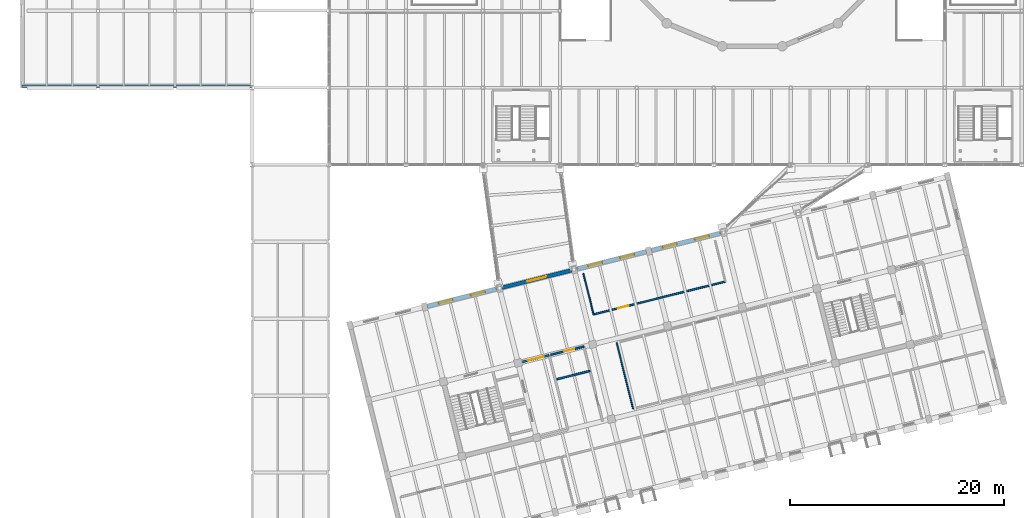
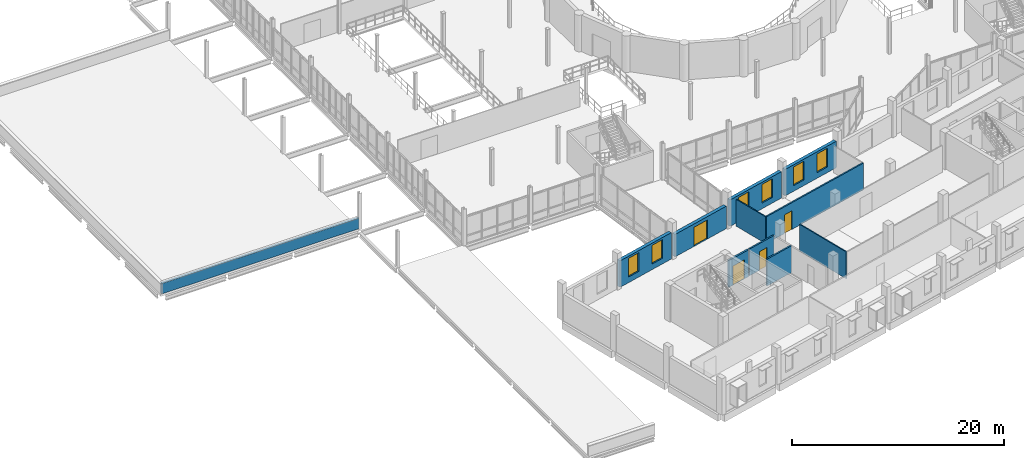
# One storey, part 55 of 72: 11 walls, 6 windows, 4 doors, 10 openings.
"""IFC4 building model written with IfcOpenShell, lengths in metres."""

from ifc_helpers import new_model, si_unit, direction, frame, frame_2d, origin, place, context, subcontext, project, spatial, rectangle, extrude, material, layer, layer_set, type_object, element, fill, save


model = new_model("IFC4")

# Units and contexts
model_context = context("Model", 3, precision=1e-05, world=origin(), true_north=direction((0.0, 1.0)))
body_context = subcontext(model_context, "Body", "Model", "MODEL_VIEW")
ifc_project = project(units=[si_unit("LENGTHUNIT", "METRE"), si_unit("AREAUNIT", "SQUARE_METRE"), si_unit("VOLUMEUNIT", "CUBIC_METRE"), si_unit("PLANEANGLEUNIT", "RADIAN"), si_unit("MASSUNIT", "GRAM", prefix="KILO")], contexts=[model_context])

# Site, building, storey
site_placement = place(None, origin())
site = spatial("IfcSite", under=ifc_project, at=site_placement, CompositionType="ELEMENT")
building_placement = place(site_placement, origin())
building = spatial("IfcBuilding", under=site, at=building_placement, Name="Qiaolan Assembly House", CompositionType="ELEMENT")
storey_placement = place(building_placement, frame((0.0, 0.0, 10.199951171875)))
storey = spatial("IfcBuildingStorey", under=building, at=storey_placement, Name="L02", CompositionType="ELEMENT", Elevation=10.199951171875)

# Wall, openings, windows
ifc_material_1 = material(Name="Honed pale limestone", Category="masonry")
ifc_layer_1 = layer(ifc_material_1, 0.360107421875)
ifc_layer_set_1 = layer_set([ifc_layer_1], Name="Honed pale limestone")
wall_type_1 = type_object("IfcWallType", Name="WAL-EXT-LIMESTONE-360", PredefinedType="SOLIDWALL", material=ifc_layer_set_1)
wall_1_placement = place(storey_placement, frame((44.506103515625, 24.382080078125, 0.0), z_axis=(0.0, 0.0, 1.0), x_axis=(-0.970296540998, -0.241918627903, 0.0)))
wall_1 = element("IfcWall", 1, at=wall_1_placement, inside=storey, type_object=wall_type_1, Name="EW-360 SE North court wall L02 bay 2", PredefinedType="SOLIDWALL", context=body_context, shape_type="SweptSolid", body=[
    extrude(rectangle(XDim=6.7041015625, YDim=0.360107421875, at=frame_2d((3.35205078125, 0.0))), origin(), (0.0, 0.0, 1.0), 3.0400390625),
])
opening_1_placement = place(wall_1_placement, frame((1.152099609375, 0.0, 0.64990234375)))
opening_1 = element("IfcOpeningElement", 2, at=opening_1_placement, cuts=wall_1, Name="Opening WN-298", PredefinedType="OPENING", context=body_context, shape_type="SweptSolid", body=[
    extrude(rectangle(XDim=1.35009765625, YDim=2.14990234375, at=frame_2d((0.675048828125, 1.074951171875))), frame((0.0, 0.18994140625, 0.0), z_axis=(0.0, -1.0, 0.0), x_axis=(1.0, 0.0, 0.0)), (0.0, 0.0, 1.0), 0.380126953125),
])
opening_2_placement = place(wall_1_placement, frame((4.251953125, 0.0, 0.64990234375)))
opening_2 = element("IfcOpeningElement", 3, at=opening_2_placement, cuts=wall_1, Name="Opening WN-299", PredefinedType="OPENING", context=body_context, shape_type="SweptSolid", body=[
    extrude(rectangle(XDim=1.35009765625, YDim=2.14990234375, at=frame_2d((0.675048828125, 1.074951171875))), frame((0.0, 0.18994140625, 0.0), z_axis=(0.0, -1.0, 0.0), x_axis=(1.0, 0.0, 0.0)), (0.0, 0.0, 1.0), 0.380126953125),
])
ifc_material_2 = material(Name="Low-E double insulating glass", Category="glass")
window_type = type_object("IfcWindowType", Name="WIN-COURT-1350x2150", PartitioningType="DOUBLE_PANEL_VERTICAL", PredefinedType="WINDOW", material=ifc_material_2)
window_1_placement = place(opening_1_placement, origin())
window_1 = element("IfcWindow", 4, at=window_1_placement, inside=storey, type_object=window_type, Name="SE court window WN-298", OverallHeight=2.14990234375, OverallWidth=1.35009765625, PartitioningType="DOUBLE_PANEL_VERTICAL", PredefinedType="WINDOW", context=body_context, shape_type="SweptSolid", body=[
    extrude(rectangle(XDim=1.35009765625, YDim=2.14990234375, at=frame_2d((0.675048828125, 1.074951171875))), frame((0.0, 0.030029296875, 0.0), z_axis=(0.0, -1.0, 0.0), x_axis=(1.0, 0.0, 0.0)), (0.0, 0.0, 1.0), 0.06005859375),
])
fill(opening_1, window_1)
window_2_placement = place(opening_2_placement, origin())
window_2 = element("IfcWindow", 5, at=window_2_placement, inside=storey, type_object=window_type, Name="SE court window WN-299", OverallHeight=2.14990234375, OverallWidth=1.35009765625, PartitioningType="DOUBLE_PANEL_VERTICAL", PredefinedType="WINDOW", context=body_context, shape_type="SweptSolid", body=[
    extrude(rectangle(XDim=1.35009765625, YDim=2.14990234375, at=frame_2d((0.675048828125, 1.074951171875))), frame((0.0, 0.030029296875, 0.0), z_axis=(0.0, -1.0, 0.0), x_axis=(1.0, 0.0, 0.0)), (0.0, 0.0, 1.0), 0.06005859375),
])
fill(opening_2, window_2)

# Wall, opening, door
wall_2_placement = place(storey_placement, frame((51.4921875, 26.1240234375, 0.0), z_axis=(0.0, 0.0, 1.0), x_axis=(-0.970287992186, -0.241952913229, 0.0)))
wall_2 = element("IfcWall", 6, at=wall_2_placement, inside=storey, type_object=wall_type_1, Name="EW-360 SE North court wall L02 bay 3", PredefinedType="SOLIDWALL", context=body_context, shape_type="SweptSolid", body=[
    extrude(rectangle(XDim=6.7041015625, YDim=0.360107421875, at=frame_2d((3.35205078125, 0.0))), origin(), (0.0, 0.0, 1.0), 2.580078125),
])
opening_3_placement = place(wall_2_placement, frame((2.451904296875, 0.0, 0.0)))
opening_3 = element("IfcOpeningElement", 7, at=opening_3_placement, cuts=wall_2, Name="Opening BD-018", PredefinedType="OPENING", context=body_context, shape_type="SweptSolid", body=[
    extrude(rectangle(XDim=1.800048828125, YDim=2.199951171875, at=frame_2d((0.89990234375, 1.10009765625))), frame((0.0, 0.18994140625, 0.0), z_axis=(0.0, -1.0, 0.0), x_axis=(1.0, 0.0, 0.0)), (0.0, 0.0, 1.0), 0.380126953125),
])
ifc_material_3 = material(Name="Anodised bronze aluminium", Category="aluminium")
door_type_1 = type_object("IfcDoorType", Name="DOR-CORR-DBL-1800", OperationType="DOUBLE_DOOR_SINGLE_SWING", PredefinedType="DOOR", material=ifc_material_3)
door_1_placement = place(opening_3_placement, origin())
door_1 = element("IfcDoor", 8, at=door_1_placement, inside=storey, type_object=door_type_1, Name="SE Wing court/bridge portal BD-018", OperationType="DOUBLE_DOOR_SINGLE_SWING", OverallHeight=2.199951171875, OverallWidth=1.800048828125, PredefinedType="DOOR", context=body_context, shape_type="SweptSolid", body=[
    extrude(rectangle(XDim=1.800048828125, YDim=2.199951171875, at=frame_2d((0.89990234375, 1.10009765625))), frame((0.0, 0.02490234375, 0.0), z_axis=(0.0, -1.0, 0.0), x_axis=(1.0, 0.0, 0.0)), (0.0, 0.0, 1.0), 0.050048828125),
])
fill(opening_3, door_1)

# Wall, openings, windows
wall_3_placement = place(storey_placement, frame((58.478271484375, 27.86572265625, 0.0), z_axis=(0.0, 0.0, 1.0), x_axis=(-0.970296540998, -0.241918627903, 0.0)))
wall_3 = element("IfcWall", 9, at=wall_3_placement, inside=storey, type_object=wall_type_1, Name="EW-360 SE North court wall L02 bay 4", PredefinedType="SOLIDWALL", context=body_context, shape_type="SweptSolid", body=[
    extrude(rectangle(XDim=6.7041015625, YDim=0.360107421875, at=frame_2d((3.35205078125, 0.0))), origin(), (0.0, 0.0, 1.0), 3.0400390625),
])
opening_4_placement = place(wall_3_placement, frame((1.152099609375, 0.0, 0.64990234375)))
opening_4 = element("IfcOpeningElement", 10, at=opening_4_placement, cuts=wall_3, Name="Opening WN-300", PredefinedType="OPENING", context=body_context, shape_type="SweptSolid", body=[
    extrude(rectangle(XDim=1.35009765625, YDim=2.14990234375, at=frame_2d((0.675048828125, 1.074951171875))), frame((0.0, 0.18994140625, 0.0), z_axis=(0.0, -1.0, 0.0), x_axis=(1.0, 0.0, 0.0)), (0.0, 0.0, 1.0), 0.380126953125),
])
opening_5_placement = place(wall_3_placement, frame((4.251953125, 0.0, 0.64990234375)))
opening_5 = element("IfcOpeningElement", 11, at=opening_5_placement, cuts=wall_3, Name="Opening WN-301", PredefinedType="OPENING", context=body_context, shape_type="SweptSolid", body=[
    extrude(rectangle(XDim=1.35009765625, YDim=2.14990234375, at=frame_2d((0.675048828125, 1.074951171875))), frame((0.0, 0.18994140625, 0.0), z_axis=(0.0, -1.0, 0.0), x_axis=(1.0, 0.0, 0.0)), (0.0, 0.0, 1.0), 0.380126953125),
])
window_3_placement = place(opening_4_placement, origin())
window_3 = element("IfcWindow", 12, at=window_3_placement, inside=storey, type_object=window_type, Name="SE court window WN-300", OverallHeight=2.14990234375, OverallWidth=1.35009765625, PartitioningType="DOUBLE_PANEL_VERTICAL", PredefinedType="WINDOW", context=body_context, shape_type="SweptSolid", body=[
    extrude(rectangle(XDim=1.35009765625, YDim=2.14990234375, at=frame_2d((0.675048828125, 1.074951171875))), frame((0.0, 0.030029296875, 0.0), z_axis=(0.0, -1.0, 0.0), x_axis=(1.0, 0.0, 0.0)), (0.0, 0.0, 1.0), 0.06005859375),
])
fill(opening_4, window_3)
window_4_placement = place(opening_5_placement, origin())
window_4 = element("IfcWindow", 13, at=window_4_placement, inside=storey, type_object=window_type, Name="SE court window WN-301", OverallHeight=2.14990234375, OverallWidth=1.35009765625, PartitioningType="DOUBLE_PANEL_VERTICAL", PredefinedType="WINDOW", context=body_context, shape_type="SweptSolid", body=[
    extrude(rectangle(XDim=1.35009765625, YDim=2.14990234375, at=frame_2d((0.675048828125, 1.074951171875))), frame((0.0, 0.030029296875, 0.0), z_axis=(0.0, -1.0, 0.0), x_axis=(1.0, 0.0, 0.0)), (0.0, 0.0, 1.0), 0.06005859375),
])
fill(opening_5, window_4)

wall_4_placement = place(storey_placement, frame((65.464599609375, 29.607666015625, 0.0), z_axis=(0.0, 0.0, 1.0), x_axis=(-0.970296540998, -0.241918627903, 0.0)))
wall_4 = element("IfcWall", 14, at=wall_4_placement, inside=storey, type_object=wall_type_1, Name="EW-360 SE North court wall L02 bay 5", PredefinedType="SOLIDWALL", context=body_context, shape_type="SweptSolid", body=[
    extrude(rectangle(XDim=6.7041015625, YDim=0.360107421875, at=frame_2d((3.35205078125, 0.0))), origin(), (0.0, 0.0, 1.0), 3.0400390625),
])
opening_6_placement = place(wall_4_placement, frame((1.152099609375, 0.0, 0.64990234375)))
opening_6 = element("IfcOpeningElement", 15, at=opening_6_placement, cuts=wall_4, Name="Opening WN-302", PredefinedType="OPENING", context=body_context, shape_type="SweptSolid", body=[
    extrude(rectangle(XDim=1.35009765625, YDim=2.14990234375, at=frame_2d((0.675048828125, 1.074951171875))), frame((0.0, 0.18994140625, 0.0), z_axis=(0.0, -1.0, 0.0), x_axis=(1.0, 0.0, 0.0)), (0.0, 0.0, 1.0), 0.380126953125),
])
opening_7_placement = place(wall_4_placement, frame((4.251953125, 0.0, 0.64990234375)))
opening_7 = element("IfcOpeningElement", 16, at=opening_7_placement, cuts=wall_4, Name="Opening WN-303", PredefinedType="OPENING", context=body_context, shape_type="SweptSolid", body=[
    extrude(rectangle(XDim=1.35009765625, YDim=2.14990234375, at=frame_2d((0.675048828125, 1.074951171875))), frame((0.0, 0.18994140625, 0.0), z_axis=(0.0, -1.0, 0.0), x_axis=(1.0, 0.0, 0.0)), (0.0, 0.0, 1.0), 0.380126953125),
])
window_5_placement = place(opening_6_placement, origin())
window_5 = element("IfcWindow", 17, at=window_5_placement, inside=storey, type_object=window_type, Name="SE court window WN-302", OverallHeight=2.14990234375, OverallWidth=1.35009765625, PartitioningType="DOUBLE_PANEL_VERTICAL", PredefinedType="WINDOW", context=body_context, shape_type="SweptSolid", body=[
    extrude(rectangle(XDim=1.35009765625, YDim=2.14990234375, at=frame_2d((0.675048828125, 1.074951171875))), frame((0.0, 0.030029296875, 0.0), z_axis=(0.0, -1.0, 0.0), x_axis=(1.0, 0.0, 0.0)), (0.0, 0.0, 1.0), 0.06005859375),
])
fill(opening_6, window_5)
window_6_placement = place(opening_7_placement, origin())
window_6 = element("IfcWindow", 18, at=window_6_placement, inside=storey, type_object=window_type, Name="SE court window WN-303", OverallHeight=2.14990234375, OverallWidth=1.35009765625, PartitioningType="DOUBLE_PANEL_VERTICAL", PredefinedType="WINDOW", context=body_context, shape_type="SweptSolid", body=[
    extrude(rectangle(XDim=1.35009765625, YDim=2.14990234375, at=frame_2d((0.675048828125, 1.074951171875))), frame((0.0, 0.030029296875, 0.0), z_axis=(0.0, -1.0, 0.0), x_axis=(1.0, 0.0, 0.0)), (0.0, 0.0, 1.0), 0.06005859375),
])
fill(opening_7, window_6)

# Wall, opening, door
ifc_material_4 = material(Name="Concrete C35/45", Category="concrete")
ifc_layer_2 = layer(ifc_material_4, 0.199951171875)
ifc_layer_set_2 = layer_set([ifc_layer_2], Name="Concrete C35/45")
wall_type_2 = type_object("IfcWallType", Name="WAL-LOBBY-200", PredefinedType="PARTITIONING", material=ifc_layer_set_2)
wall_5_placement = place(storey_placement, frame((49.3994140625, 18.181640625, 0.0), z_axis=(0.0, 0.0, 1.0), x_axis=(-0.970309259708, -0.2418676095, 0.0)))
wall_5 = element("IfcWall", 19, at=wall_5_placement, inside=storey, type_object=wall_type_2, Name="Firefighting lift lobby north wall CORE-C L02", PredefinedType="PARTITIONING", context=body_context, shape_type="SweptSolid", body=[
    extrude(rectangle(XDim=2.580078125, YDim=0.199951171875, at=frame_2d((1.2900390625, 0.0))), origin(), (0.0, 0.0, 1.0), 3.080078125),
])
opening_8_placement = place(wall_5_placement, frame((0.550048828125, 0.0, 0.0)))
opening_8 = element("IfcOpeningElement", 20, at=opening_8_placement, cuts=wall_5, Name="Opening FD-080", PredefinedType="OPENING", context=body_context, shape_type="SweptSolid", body=[
    extrude(rectangle(XDim=1.5, YDim=2.199951171875, at=frame_2d((0.75, 1.10009765625))), frame((0.0, 0.10986328125, 0.0), z_axis=(0.0, -1.0, 0.0), x_axis=(1.0, 0.0, 0.0)), (0.0, 0.0, 1.0), 0.219970703125),
])
ifc_material_5 = material(Name="Acoustic oak panelling")
door_type_2 = type_object("IfcDoorType", Name="DOR-LOBBY-FD60-1500", OperationType="DOUBLE_DOOR_SINGLE_SWING", PredefinedType="DOOR", material=ifc_material_5)
door_2_placement = place(opening_8_placement, frame((1.5, 0.0, 0.0), z_axis=(0.0, 0.0, 1.0), x_axis=(-1.0, 0.0, 0.0)))
door_2 = element("IfcDoor", 21, at=door_2_placement, inside=storey, type_object=door_type_2, Name="Lobby corridor fire door FD-080", OperationType="DOUBLE_DOOR_SINGLE_SWING", OverallHeight=2.199951171875, OverallWidth=1.5, PredefinedType="DOOR", context=body_context, shape_type="SweptSolid", body=[
    extrude(rectangle(XDim=1.5, YDim=2.199951171875, at=frame_2d((0.75, 1.10009765625))), frame((0.0, 0.02490234375, 0.0), z_axis=(0.0, -1.0, 0.0), x_axis=(1.0, 0.0, 0.0)), (0.0, 0.0, 1.0), 0.050048828125),
])
fill(opening_8, door_2)

# Walls
ifc_material_6 = material(Name="Precast concrete C40/50", Category="concrete")
ifc_layer_3 = layer(ifc_material_6, 0.25)
ifc_layer_set_3 = layer_set([ifc_layer_3], Name="Precast concrete C40/50")
wall_type_3 = type_object("IfcWallType", Name="WAL-PARAPET-250", PredefinedType="PARAPET", material=ifc_layer_set_3)
wall_6_placement = place(storey_placement, frame((21.60009765625, 43.35009765625, 0.0), z_axis=(0.0, 0.0, 1.0), x_axis=(-1.0, 0.0, 0.0)))
element("IfcWall", 22, at=wall_6_placement, inside=storey, type_object=wall_type_3, Name="PW-250 neoclassical cornice parapet wall PAR-PORT-S", PredefinedType="PARAPET", context=body_context, shape_type="SweptSolid", body=[
    extrude(rectangle(XDim=21.4501953125, YDim=0.25, at=frame_2d((10.72509765625, 0.0))), origin(), (0.0, 0.0, 1.0), 1.199951171875),
])
ifc_material_7 = material(Name="Gypsum plasterboard partition")
ifc_layer_4 = layer(ifc_material_7, 0.1201171875)
ifc_layer_set_4 = layer_set([ifc_layer_4], Name="Gypsum plasterboard partition")
wall_type_4 = type_object("IfcWallType", Name="WAL-PART-120", PredefinedType="PARTITIONING", material=ifc_layer_set_4)
wall_7_placement = place(storey_placement, frame((57.242431640625, 13.180419921875, 0.0), z_axis=(0.0, 0.0, 1.0), x_axis=(-0.241947566099, 0.970289325541, 0.0)))
element("IfcWall", 23, at=wall_7_placement, inside=storey, type_object=wall_type_4, Name="Joint Committee Caucus & Briefing Hall west partition", PredefinedType="PARTITIONING", context=body_context, shape_type="SweptSolid", body=[
    extrude(rectangle(XDim=6.35009765625, YDim=0.1201171875, at=frame_2d((3.175048828125, 0.0))), origin(), (0.0, 0.0, 1.0), 3.080078125),
])
wall_8_placement = place(storey_placement, frame((53.54931640625, 21.9990234375, 0.0), z_axis=(0.0, 0.0, 1.0), x_axis=(-0.241910239337, 0.970298632434, 0.0)))
element("IfcWall", 24, at=wall_8_placement, inside=storey, type_object=wall_type_4, Name="Court Outlook Consultation Suite L02 west wall", PredefinedType="PARTITIONING", context=body_context, shape_type="SweptSolid", body=[
    extrude(rectangle(XDim=3.9501953125, YDim=0.1201171875, at=frame_2d((1.97509765625, 0.0))), origin(), (0.0, 0.0, 1.0), 3.080078125),
])

# Wall, opening, door
ifc_layer_5 = layer(ifc_material_7, 0.14990234375)
ifc_layer_set_5 = layer_set([ifc_layer_5], Name="Gypsum plasterboard partition")
wall_type_5 = type_object("IfcWallType", Name="WAL-PART-150", PredefinedType="PARTITIONING", material=ifc_layer_set_5)
wall_9_placement = place(storey_placement, frame((53.54931640625, 21.9990234375, 0.0), z_axis=(0.0, 0.0, 1.0), x_axis=(0.970293838297, 0.241929467745, 0.0)))
wall_9 = element("IfcWall", 25, at=wall_9_placement, inside=storey, type_object=wall_type_5, Name="Court Outlook Consultation Suite L02 south wall", PredefinedType="PARTITIONING", context=body_context, shape_type="SweptSolid", body=[
    extrude(rectangle(XDim=12.699951171875, YDim=0.14990234375, at=frame_2d((6.35009765625, 0.0))), origin(), (0.0, 0.0, 1.0), 3.080078125),
])
opening_9_placement = place(wall_9_placement, frame((2.35009765625, 0.0, 0.0)))
opening_9 = element("IfcOpeningElement", 26, at=opening_9_placement, cuts=wall_9, Name="Opening SD-253", PredefinedType="OPENING", context=body_context, shape_type="SweptSolid", body=[
    extrude(rectangle(XDim=1.0, YDim=2.14990234375, at=frame_2d((0.5, 1.074951171875))), frame((0.0, 0.0849609375, 0.0), z_axis=(0.0, -1.0, 0.0), x_axis=(1.0, 0.0, 0.0)), (0.0, 0.0, 1.0), 0.169921875),
])
door_type_3 = type_object("IfcDoorType", Name="DOR-OFF-SGL-1000", OperationType="NOTDEFINED", PredefinedType="DOOR", material=ifc_material_5)
door_3_placement = place(opening_9_placement, origin())
door_3 = element("IfcDoor", 27, at=door_3_placement, inside=storey, type_object=door_type_3, Name="Court Outlook Consultation Suite L02 door SD-253", OperationType="SINGLE_SWING_LEFT", OverallHeight=2.14990234375, OverallWidth=1.0, PredefinedType="DOOR", context=body_context, shape_type="SweptSolid", body=[
    extrude(rectangle(XDim=1.0, YDim=2.14990234375, at=frame_2d((0.5, 1.074951171875))), frame((0.0, 0.02490234375, 0.0), z_axis=(0.0, -1.0, 0.0), x_axis=(1.0, 0.0, 0.0)), (0.0, 0.0, 1.0), 0.050048828125),
])
fill(opening_9, door_3)

ifc_material_8 = material(Name="Concrete C30/37", Category="concrete")
ifc_layer_6 = layer(ifc_material_8, 0.1650390625)
ifc_layer_set_6 = layer_set([ifc_layer_6], Name="Concrete C30/37")
wall_type_6 = type_object("IfcWallType", Name="WAL-WET-150", PredefinedType="PARTITIONING", material=ifc_layer_set_6)
wall_10_placement = place(storey_placement, frame((52.64990234375, 18.9921875, 0.0), z_axis=(0.0, 0.0, 1.0), x_axis=(-0.970294894235, -0.241925232711, 0.0)))
wall_10 = element("IfcWall", 28, at=wall_10_placement, inside=storey, type_object=wall_type_6, Name="Accessible WC corridor wall CORE-C L02", PredefinedType="PARTITIONING", context=body_context, shape_type="SweptSolid", body=[
    extrude(rectangle(XDim=3.199951171875, YDim=0.1650390625, at=frame_2d((1.60009765625, 0.0))), origin(), (0.0, 0.0, 1.0), 3.080078125),
])
opening_10_placement = place(wall_10_placement, frame((0.949951171875, 0.0, 0.0)))
opening_10 = element("IfcOpeningElement", 29, at=opening_10_placement, cuts=wall_10, Name="Opening AD-082", PredefinedType="OPENING", context=body_context, shape_type="SweptSolid", body=[
    extrude(rectangle(XDim=0.949951171875, YDim=2.14990234375, at=frame_2d((0.47509765625, 1.074951171875))), frame((0.0, 0.092529296875, 0.0), z_axis=(0.0, -1.0, 0.0), x_axis=(1.0, 0.0, 0.0)), (0.0, 0.0, 1.0), 0.18505859375),
])
door_type_4 = type_object("IfcDoorType", Name="DOR-ACC-WC-950", OperationType="NOTDEFINED", PredefinedType="DOOR", material=ifc_material_5)
door_4_placement = place(opening_10_placement, origin())
door_4 = element("IfcDoor", 30, at=door_4_placement, inside=storey, type_object=door_type_4, Name="Accessible Restroom door AD-082", OperationType="SINGLE_SWING_LEFT", OverallHeight=2.14990234375, OverallWidth=0.949951171875, PredefinedType="DOOR", context=body_context, shape_type="SweptSolid", body=[
    extrude(rectangle(XDim=0.949951171875, YDim=2.14990234375, at=frame_2d((0.47509765625, 1.074951171875))), frame((0.0, 0.02490234375, 0.0), z_axis=(0.0, -1.0, 0.0), x_axis=(1.0, 0.0, 0.0)), (0.0, 0.0, 1.0), 0.050048828125),
])
fill(opening_10, door_4)

# Wall
wall_11_placement = place(storey_placement, frame((50.113525390625, 15.937744140625, 0.0), z_axis=(0.0, 0.0, 1.0), x_axis=(0.970294894235, 0.241925232711, 0.0)))
element("IfcWall", 31, at=wall_11_placement, inside=storey, type_object=wall_type_6, Name="WC divider wall CORE-C L02", PredefinedType="PARTITIONING", context=body_context, shape_type="SweptSolid", body=[
    extrude(rectangle(XDim=3.199951171875, YDim=0.1650390625, at=frame_2d((1.60009765625, 0.0))), origin(), (0.0, 0.0, 1.0), 3.080078125),
])

save(model, "model.ifc")
